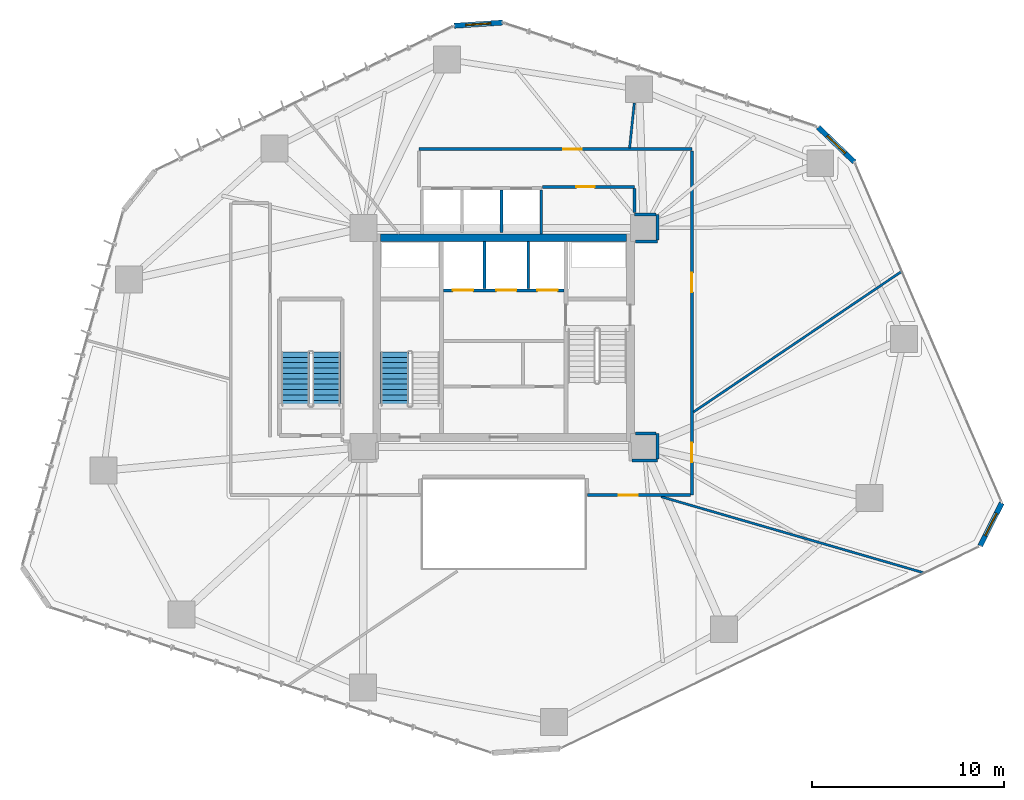
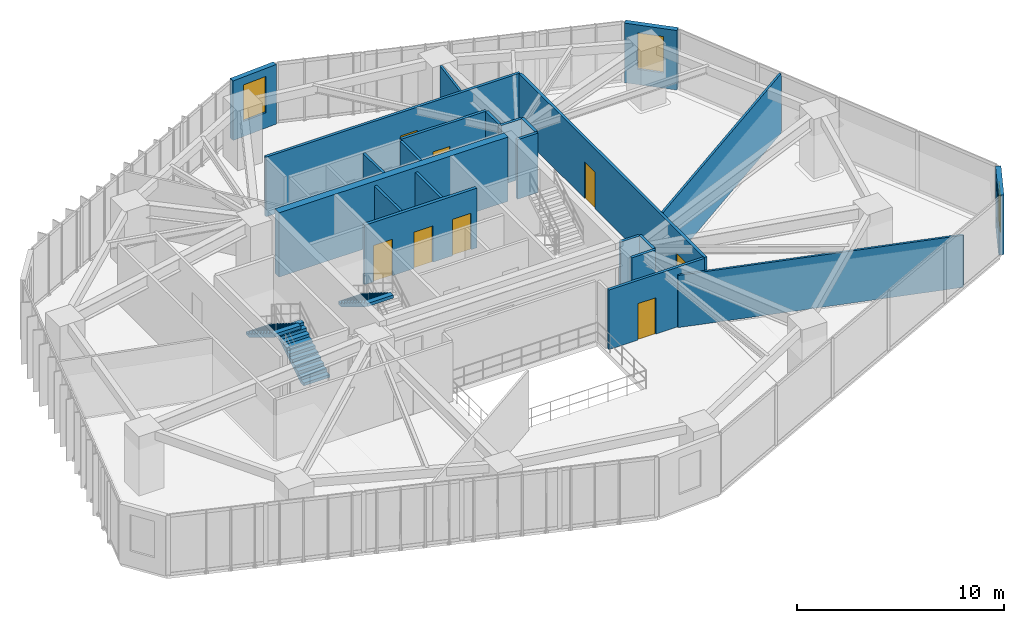
# One storey, part 19 of 23: 23 walls, 8 doors, 3 stair flights, 3 windows, 11 openings, 2 elements without a shape of their own.
"""IFC4 building model written with IfcOpenShell, lengths in metres."""

from ifc_helpers import new_model, si_unit, direction, frame, frame_2d, origin, place, context, subcontext, project, spatial, polyline, rectangle, outline, extrude, source, transform, mapped, material, layer, layer_set, type_object, type_shapes, element, fill, aggregate, save


model = new_model("IFC4")

# Units and contexts
model_context = context("Model", 3, precision=1e-05, world=origin(), true_north=direction((0.0, 1.0)))
body_context = subcontext(model_context, "Body", "Model", "MODEL_VIEW")
ifc_project = project(units=[si_unit("LENGTHUNIT", "METRE"), si_unit("AREAUNIT", "SQUARE_METRE"), si_unit("VOLUMEUNIT", "CUBIC_METRE"), si_unit("PLANEANGLEUNIT", "RADIAN"), si_unit("MASSUNIT", "GRAM", prefix="KILO")], contexts=[model_context])

# Site, building, storey
site_placement = place(None, origin())
site = spatial("IfcSite", under=ifc_project, at=site_placement, CompositionType="ELEMENT")
building_placement = place(site_placement, origin())
building = spatial("IfcBuilding", under=site, at=building_placement, Name="Talar Marvaseh", CompositionType="ELEMENT")
storey_placement = place(building_placement, frame((0.0, 0.0, 35.39990234375)))
storey = spatial("IfcBuildingStorey", under=building, at=storey_placement, Name="L08", CompositionType="ELEMENT", Elevation=35.39990234375)

# Wall, opening, window
ifc_material_1 = material(Name="Precast concrete C45/55", Category="concrete")
ifc_layer_1 = layer(ifc_material_1, 0.27001953125)
ifc_layer_set_1 = layer_set([ifc_layer_1], Name="Precast concrete C45/55")
wall_type_1 = type_object("IfcWallType", Name="Chamfered Hexagonal Corner Pier Wall Z1 270", PredefinedType="SOLIDWALL", material=ifc_layer_set_1)
wall_1_placement = place(storey_placement, frame((23.433349609375, 47.4248046875, 0.0), z_axis=(0.0, 0.0, 1.0), x_axis=(0.99785923334, 0.065398397829, 0.0)))
wall_1 = element("IfcWall", 1, at=wall_1_placement, inside=storey, type_object=wall_type_1, Name="L08 Chamfered Corner Limestone Pier 3", PredefinedType="SOLIDWALL", context=body_context, shape_type="SweptSolid", body=[
    extrude(rectangle(XDim=2.51611328125, YDim=0.27001953125, at=frame_2d((1.258056640625, 0.0))), origin(), (0.0, 0.0, 1.0), 3.52001953125),
])
opening_1_placement = place(wall_1_placement, frame((0.60791015625, 0.0, 0.89990234375)))
opening_1 = element("IfcOpeningElement", 2, at=opening_1_placement, cuts=wall_1, Name="Opening WN-CHM13", PredefinedType="OPENING", context=body_context, shape_type="SweptSolid", body=[
    extrude(rectangle(XDim=1.300048828125, YDim=2.14990234375, at=frame_2d((0.64990234375, 1.074951171875))), frame((0.0, 0.14501953125, 0.0), z_axis=(0.0, -1.0, 0.0), x_axis=(1.0, 0.0, 0.0)), (0.0, 0.0, 1.0), 0.2900390625),
])
ifc_material_2 = material(Name="Laminated Low-E Solar Glass", Category="glass")
window_type = type_object("IfcWindowType", Name="Zone 1 Chamfered Corner Slot Window 1300x2150", PartitioningType="SINGLE_PANEL", PredefinedType="WINDOW", material=ifc_material_2)
shared_shape_1 = source(origin(), body_context, "Body", "SweptSolid", [
    extrude(rectangle(XDim=1.300048828125, YDim=2.14990234375, at=frame_2d((0.64990234375, 1.074951171875))), frame((0.0, 0.030029296875, 0.0), z_axis=(0.0, -1.0, 0.0), x_axis=(1.0, 0.0, 0.0)), (0.0, 0.0, 1.0), 0.06005859375),
])
type_shapes(window_type, [shared_shape_1])
window_1_placement = place(opening_1_placement, origin())
window_1 = element("IfcWindow", 3, at=window_1_placement, inside=storey, type_object=window_type, Name="L08 Chamfered Corner Slot Window", OverallHeight=2.14990234375, OverallWidth=1.300048828125, PartitioningType="SINGLE_PANEL", PredefinedType="WINDOW", context=body_context, shape_type="MappedRepresentation", body=[
    mapped(shared_shape_1, transform((0.0, 0.0, 0.0), x_axis=(1.0, 0.0, 0.0), y_axis=(0.0, 1.0, 0.0), z_axis=(0.0, 0.0, 1.0), scale=1.0)),
])
fill(opening_1, window_1)

wall_2_placement = place(storey_placement, frame((42.363037109375, 42.152099609375, 0.0), z_axis=(0.0, 0.0, 1.0), x_axis=(0.720836641342, -0.693104996735, 0.0)))
wall_2 = element("IfcWall", 4, at=wall_2_placement, inside=storey, type_object=wall_type_1, Name="L08 Chamfered Corner Limestone Pier 4", PredefinedType="SOLIDWALL", context=body_context, shape_type="SweptSolid", body=[
    extrude(rectangle(XDim=2.62353515625, YDim=0.27001953125, at=frame_2d((1.311767578125, 0.0))), origin(), (0.0, 0.0, 1.0), 3.52001953125),
])
opening_2_placement = place(wall_2_placement, frame((0.662109375, 0.0, 0.89990234375)))
opening_2 = element("IfcOpeningElement", 5, at=opening_2_placement, cuts=wall_2, Name="Opening WN-CHM13", PredefinedType="OPENING", context=body_context, shape_type="SweptSolid", body=[
    extrude(rectangle(XDim=1.300048828125, YDim=2.14990234375, at=frame_2d((0.64990234375, 1.074951171875))), frame((0.0, 0.14501953125, 0.0), z_axis=(0.0, -1.0, 0.0), x_axis=(1.0, 0.0, 0.0)), (0.0, 0.0, 1.0), 0.2900390625),
])
window_2_placement = place(opening_2_placement, origin())
window_2 = element("IfcWindow", 6, at=window_2_placement, inside=storey, type_object=window_type, Name="L08 Chamfered Corner Slot Window", OverallHeight=2.14990234375, OverallWidth=1.300048828125, PartitioningType="SINGLE_PANEL", PredefinedType="WINDOW", context=body_context, shape_type="MappedRepresentation", body=[
    mapped(shared_shape_1, transform((0.0, 0.0, 0.0), x_axis=(1.0, 0.0, 0.0), y_axis=(0.0, 1.0, 0.0), z_axis=(0.0, 0.0, 1.0), scale=1.0)),
])
fill(opening_2, window_2)

wall_3_placement = place(storey_placement, frame((51.9189453125, 22.582275390625, 0.0), z_axis=(0.0, 0.0, 1.0), x_axis=(-0.448942485085, -0.893560655516, 0.0)))
wall_3 = element("IfcWall", 7, at=wall_3_placement, inside=storey, type_object=wall_type_1, Name="L08 Chamfered Corner Limestone Pier 5", PredefinedType="SOLIDWALL", context=body_context, shape_type="SweptSolid", body=[
    extrude(rectangle(XDim=2.484130859375, YDim=0.27001953125, at=frame_2d((1.2421875, 0.0))), origin(), (0.0, 0.0, 1.0), 3.52001953125),
])
opening_3_placement = place(wall_3_placement, frame((0.592041015625, 0.0, 0.89990234375)))
opening_3 = element("IfcOpeningElement", 8, at=opening_3_placement, cuts=wall_3, Name="Opening WN-CHM13", PredefinedType="OPENING", context=body_context, shape_type="SweptSolid", body=[
    extrude(rectangle(XDim=1.300048828125, YDim=2.14990234375, at=frame_2d((0.64990234375, 1.074951171875))), frame((0.0, 0.14501953125, 0.0), z_axis=(0.0, -1.0, 0.0), x_axis=(1.0, 0.0, 0.0)), (0.0, 0.0, 1.0), 0.2900390625),
])
window_3_placement = place(opening_3_placement, origin())
window_3 = element("IfcWindow", 9, at=window_3_placement, inside=storey, type_object=window_type, Name="L08 Chamfered Corner Slot Window", OverallHeight=2.14990234375, OverallWidth=1.300048828125, PartitioningType="SINGLE_PANEL", PredefinedType="WINDOW", context=body_context, shape_type="MappedRepresentation", body=[
    mapped(shared_shape_1, transform((0.0, 0.0, 0.0), x_axis=(1.0, 0.0, 0.0), y_axis=(0.0, 1.0, 0.0), z_axis=(0.0, 0.0, 1.0), scale=1.0)),
])
fill(opening_3, window_3)

# Wall, opening, door
ifc_material_3 = material(Name="Gypsum Board Partition Assembly")
ifc_layer_2 = layer(ifc_material_3, 0.155029296875)
ifc_layer_set_2 = layer_set([ifc_layer_2], Name="Gypsum Board Partition Assembly")
wall_type_2 = type_object("IfcWallType", Name="Corridor Fire-Rated Acoustic Partition 155", PredefinedType="PARTITIONING", material=ifc_layer_set_2)
wall_4_placement = place(storey_placement, frame((32.800048828125, 39.0400390625, 0.0), z_axis=(0.0, 0.0, 1.0), x_axis=(-1.0, 0.0, 0.0)))
wall_4 = element("IfcWall", 10, at=wall_4_placement, inside=storey, type_object=wall_type_2, Name="L08 Interior Partition Wall", PredefinedType="PARTITIONING", context=body_context, shape_type="SweptSolid", body=[
    extrude(rectangle(XDim=4.77001953125, YDim=0.155029296875, at=frame_2d((2.385009765625, 0.0))), origin(), (0.0, 0.0, 1.0), 3.52001953125),
])
opening_4_placement = place(wall_4_placement, frame((2.063720703125, 0.0, 0.0)))
opening_4 = element("IfcOpeningElement", 11, at=opening_4_placement, cuts=wall_4, Name="Opening DR-WC095", PredefinedType="OPENING", context=body_context, shape_type="SweptSolid", body=[
    extrude(rectangle(XDim=0.949951171875, YDim=2.14990234375, at=frame_2d((0.47509765625, 1.074951171875))), frame((0.0, 0.08740234375, 0.0), z_axis=(0.0, -1.0, 0.0), x_axis=(1.0, 0.0, 0.0)), (0.0, 0.0, 1.0), 0.175048828125),
])
ifc_material_4 = material(Name="Acoustic Engineered Oak Timber", Category="wood")
door_type_1 = type_object("IfcDoorType", Name="Washroom and Service Room Door 950x2150", OperationType="NOTDEFINED", PredefinedType="DOOR", material=ifc_material_4)
shared_shape_2 = source(origin(), body_context, "Body", "SweptSolid", [
    extrude(rectangle(XDim=0.949951171875, YDim=2.14990234375, at=frame_2d((0.47509765625, 1.074951171875))), frame((0.0, 0.02490234375, 0.0), z_axis=(0.0, -1.0, 0.0), x_axis=(1.0, 0.0, 0.0)), (0.0, 0.0, 1.0), 0.050048828125),
])
type_shapes(door_type_1, [shared_shape_2])
door_1_placement = place(opening_4_placement, origin())
door_1 = element("IfcDoor", 12, at=door_1_placement, inside=storey, type_object=door_type_1, Name="L08 WC Public Washrooms Door", OperationType="SINGLE_SWING_LEFT", OverallHeight=2.14990234375, OverallWidth=0.949951171875, PredefinedType="DOOR", context=body_context, shape_type="MappedRepresentation", body=[
    mapped(shared_shape_2, transform((0.0, 0.0, 0.0), x_axis=(1.0, 0.0, 0.0), y_axis=(0.0, 1.0, 0.0), z_axis=(0.0, 0.0, 1.0), scale=1.0)),
])
fill(opening_4, door_1)

wall_5_placement = place(storey_placement, frame((21.60009765625, 41.0, 0.0), z_axis=(0.0, 0.0, 1.0), x_axis=(1.0, 0.0, 0.0)))
wall_5 = element("IfcWall", 13, at=wall_5_placement, inside=storey, type_object=wall_type_2, Name="L08 Interior Partition Wall", PredefinedType="PARTITIONING", context=body_context, shape_type="SweptSolid", body=[
    extrude(rectangle(XDim=14.199951171875, YDim=0.155029296875, at=frame_2d((7.10009765625, 0.0))), origin(), (0.0, 0.0, 1.0), 3.52001953125),
])
opening_5_placement = place(wall_5_placement, frame((7.512939453125, 0.0, 0.0)))
opening_5 = element("IfcOpeningElement", 14, at=opening_5_placement, cuts=wall_5, Name="Opening DR-WC095", PredefinedType="OPENING", context=body_context, shape_type="SweptSolid", body=[
    extrude(rectangle(XDim=0.949951171875, YDim=2.14990234375, at=frame_2d((0.47509765625, 1.074951171875))), frame((0.0, 0.08740234375, 0.0), z_axis=(0.0, -1.0, 0.0), x_axis=(1.0, 0.0, 0.0)), (0.0, 0.0, 1.0), 0.175048828125),
])
door_2_placement = place(opening_5_placement, origin())
door_2 = element("IfcDoor", 15, at=door_2_placement, inside=storey, type_object=door_type_1, Name="L08 Accessible WC Block Door", OperationType="SINGLE_SWING_RIGHT", OverallHeight=2.14990234375, OverallWidth=0.949951171875, PredefinedType="DOOR", context=body_context, shape_type="MappedRepresentation", body=[
    mapped(shared_shape_2, transform((0.0, 0.0, 0.0), x_axis=(1.0, 0.0, 0.0), y_axis=(0.0, 1.0, 0.0), z_axis=(0.0, 0.0, 1.0), scale=1.0)),
])
fill(opening_5, door_2)

# Wall, openings, doors
wall_6_placement = place(storey_placement, frame((35.800048828125, 40.91650390625, 0.0), z_axis=(0.0, 0.0, 1.0), x_axis=(0.0, -1.0, 0.0)))
wall_6 = element("IfcWall", 16, at=wall_6_placement, inside=storey, type_object=wall_type_2, Name="L08 Interior Partition Wall", PredefinedType="PARTITIONING", context=body_context, shape_type="SweptSolid", body=[
    extrude(rectangle(XDim=17.91650390625, YDim=0.155029296875, at=frame_2d((8.958251953125, 0.0))), origin(), (0.0, 0.0, 1.0), 3.52001953125),
])
opening_6_placement = place(wall_6_placement, frame((15.19580078125, 0.0, 0.0)))
opening_6 = element("IfcOpeningElement", 17, at=opening_6_placement, cuts=wall_6, Name="Opening DR-RM100", PredefinedType="OPENING", context=body_context, shape_type="SweptSolid", body=[
    extrude(rectangle(XDim=1.0, YDim=2.14990234375, at=frame_2d((0.5, 1.074951171875))), frame((0.0, 0.08740234375, 0.0), z_axis=(0.0, -1.0, 0.0), x_axis=(1.0, 0.0, 0.0)), (0.0, 0.0, 1.0), 0.175048828125),
])
opening_7_placement = place(wall_6_placement, frame((6.35009765625, 0.0, 0.0)))
opening_7 = element("IfcOpeningElement", 18, at=opening_7_placement, cuts=wall_6, Name="Opening DR-RM100", PredefinedType="OPENING", context=body_context, shape_type="SweptSolid", body=[
    extrude(rectangle(XDim=1.0, YDim=2.14990234375, at=frame_2d((0.5, 1.074951171875))), frame((0.0, 0.08740234375, 0.0), z_axis=(0.0, -1.0, 0.0), x_axis=(1.0, 0.0, 0.0)), (0.0, 0.0, 1.0), 0.175048828125),
])
door_type_2 = type_object("IfcDoorType", Name="Corridor Fire-Rated Gallery Door 1000x2150", OperationType="NOTDEFINED", PredefinedType="DOOR", material=ifc_material_4)
shared_shape_3 = source(origin(), body_context, "Body", "SweptSolid", [
    extrude(rectangle(XDim=1.0, YDim=2.14990234375, at=frame_2d((0.5, 1.074951171875))), frame((0.0, 0.02490234375, 0.0), z_axis=(0.0, -1.0, 0.0), x_axis=(1.0, 0.0, 0.0)), (0.0, 0.0, 1.0), 0.050048828125),
])
type_shapes(door_type_2, [shared_shape_3])
door_3_placement = place(opening_6_placement, origin())
door_3 = element("IfcDoor", 19, at=door_3_placement, inside=storey, type_object=door_type_2, Name="L08 Main Reading Room Door", OperationType="SINGLE_SWING_LEFT", OverallHeight=2.14990234375, OverallWidth=1.0, PredefinedType="DOOR", context=body_context, shape_type="MappedRepresentation", body=[
    mapped(shared_shape_3, transform((0.0, 0.0, 0.0), x_axis=(1.0, 0.0, 0.0), y_axis=(0.0, 1.0, 0.0), z_axis=(0.0, 0.0, 1.0), scale=1.0)),
])
fill(opening_6, door_3)
door_4_placement = place(opening_7_placement, origin())
door_4 = element("IfcDoor", 20, at=door_4_placement, inside=storey, type_object=door_type_2, Name="L08 Colloquium Boardroom Door", OperationType="SINGLE_SWING_RIGHT", OverallHeight=2.14990234375, OverallWidth=1.0, PredefinedType="DOOR", context=body_context, shape_type="MappedRepresentation", body=[
    mapped(shared_shape_3, transform((0.0, 0.0, 0.0), x_axis=(1.0, 0.0, 0.0), y_axis=(0.0, 1.0, 0.0), z_axis=(0.0, 0.0, 1.0), scale=1.0)),
])
fill(opening_7, door_4)

# Wall, opening, door
wall_7_placement = place(storey_placement, frame((35.716552734375, 23.0, 0.0), z_axis=(0.0, 0.0, 1.0), x_axis=(-1.0, 0.0, 0.0)))
wall_7 = element("IfcWall", 21, at=wall_7_placement, inside=storey, type_object=wall_type_2, Name="L08 Interior Partition Wall", PredefinedType="PARTITIONING", context=body_context, shape_type="SweptSolid", body=[
    extrude(rectangle(XDim=5.3564453125, YDim=0.155029296875, at=frame_2d((2.67822265625, 0.0))), origin(), (0.0, 0.0, 1.0), 3.52001953125),
])
opening_8_placement = place(wall_7_placement, frame((2.735107421875, 0.0, 0.0)))
opening_8 = element("IfcOpeningElement", 22, at=opening_8_placement, cuts=wall_7, Name="Opening DR-RM100", PredefinedType="OPENING", context=body_context, shape_type="SweptSolid", body=[
    extrude(rectangle(XDim=1.0, YDim=2.14990234375, at=frame_2d((0.5, 1.074951171875))), frame((0.0, 0.08740234375, 0.0), z_axis=(0.0, -1.0, 0.0), x_axis=(1.0, 0.0, 0.0)), (0.0, 0.0, 1.0), 0.175048828125),
])
door_5_placement = place(opening_8_placement, origin())
door_5 = element("IfcDoor", 23, at=door_5_placement, inside=storey, type_object=door_type_2, Name="L08 Seminar Room Door", OperationType="SINGLE_SWING_RIGHT", OverallHeight=2.14990234375, OverallWidth=1.0, PredefinedType="DOOR", context=body_context, shape_type="MappedRepresentation", body=[
    mapped(shared_shape_3, transform((0.0, 0.0, 0.0), x_axis=(1.0, 0.0, 0.0), y_axis=(0.0, 1.0, 0.0), z_axis=(0.0, 0.0, 1.0), scale=1.0)),
])
fill(opening_8, door_5)

# Walls
wall_8_placement = place(storey_placement, frame((32.67529296875, 24.788330078125, 0.0), z_axis=(0.0, 0.0, 1.0), x_axis=(0.999961738884, 0.008747614993, 0.0)))
element("IfcWall", 24, at=wall_8_placement, inside=storey, type_object=wall_type_2, Name="L08 Interior Partition Wall", PredefinedType="PARTITIONING", context=body_context, shape_type="SweptSolid", body=[
    extrude(rectangle(XDim=1.339599609375, YDim=0.155029296875, at=frame_2d((0.669921875, 0.0))), origin(), (0.0, 0.0, 1.0), 3.52001953125),
])
wall_9_placement = place(storey_placement, frame((34.014892578125, 24.883544921875, 0.0), z_axis=(0.0, 0.0, 1.0), x_axis=(-0.002393659134, 0.999997135194, 0.0)))
element("IfcWall", 25, at=wall_9_placement, inside=storey, type_object=wall_type_2, Name="L08 Interior Partition Wall", PredefinedType="PARTITIONING", context=body_context, shape_type="SweptSolid", body=[
    extrude(rectangle(XDim=1.325927734375, YDim=0.155029296875, at=frame_2d((0.6630859375, 0.0))), origin(), (0.0, 0.0, 1.0), 3.52001953125),
])
wall_10_placement = place(storey_placement, frame((33.927978515625, 26.2099609375, 0.0), z_axis=(0.0, 0.0, 1.0), x_axis=(-0.999988255797, 0.004846469737, 0.0)))
element("IfcWall", 26, at=wall_10_placement, inside=storey, type_object=wall_type_2, Name="L08 Interior Partition Wall", PredefinedType="PARTITIONING", context=body_context, shape_type="SweptSolid", body=[
    extrude(rectangle(XDim=1.057861328125, YDim=0.155029296875, at=frame_2d((0.52880859375, 0.0))), origin(), (0.0, 0.0, 1.0), 3.52001953125),
])
wall_11_placement = place(storey_placement, frame((32.8701171875, 36.18505859375, 0.0), z_axis=(0.0, 0.0, 1.0), x_axis=(0.999988932255, 0.00470482389, 0.0)))
element("IfcWall", 27, at=wall_11_placement, inside=storey, type_object=wall_type_2, Name="L08 Interior Partition Wall", PredefinedType="PARTITIONING", context=body_context, shape_type="SweptSolid", body=[
    extrude(rectangle(XDim=1.1416015625, YDim=0.155029296875, at=frame_2d((0.57080078125, 0.0))), origin(), (0.0, 0.0, 1.0), 3.52001953125),
])
wall_12_placement = place(storey_placement, frame((34.01171875, 36.27392578125, 0.0), z_axis=(0.0, 0.0, 1.0), x_axis=(0.0, 1.0, 0.0)))
element("IfcWall", 28, at=wall_12_placement, inside=storey, type_object=wall_type_2, Name="L08 Interior Partition Wall", PredefinedType="PARTITIONING", context=body_context, shape_type="SweptSolid", body=[
    extrude(rectangle(XDim=1.335693359375, YDim=0.155029296875, at=frame_2d((0.66796875, 0.0))), origin(), (0.0, 0.0, 1.0), 3.52001953125),
])
wall_13_placement = place(storey_placement, frame((33.927978515625, 37.60986328125, 0.0), z_axis=(0.0, 0.0, 1.0), x_axis=(-0.999989669582, 0.004545407589, 0.0)))
element("IfcWall", 29, at=wall_13_placement, inside=storey, type_object=wall_type_2, Name="L08 Interior Partition Wall", PredefinedType="PARTITIONING", context=body_context, shape_type="SweptSolid", body=[
    extrude(rectangle(XDim=1.1279296875, YDim=0.155029296875, at=frame_2d((0.56396484375, 0.0))), origin(), (0.0, 0.0, 1.0), 3.52001953125),
])
wall_14_placement = place(storey_placement, frame((32.800048828125, 37.698486328125, 0.0), z_axis=(0.0, 0.0, 1.0), x_axis=(0.0, 1.0, 0.0)))
element("IfcWall", 30, at=wall_14_placement, inside=storey, type_object=wall_type_2, Name="L08 Interior Partition Wall", PredefinedType="PARTITIONING", context=body_context, shape_type="SweptSolid", body=[
    extrude(rectangle(XDim=1.258056640625, YDim=0.155029296875, at=frame_2d((0.62890625, 0.0))), origin(), (0.0, 0.0, 1.0), 3.52001953125),
])
ifc_layer_3 = layer(ifc_material_3, 0.1201171875)
ifc_layer_set_3 = layer_set([ifc_layer_3], Name="Gypsum Board Partition Assembly")
wall_type_3 = type_object("IfcWallType", Name="Demountable Studio Room Partition 120", PredefinedType="PARTITIONING", material=ifc_layer_set_3)
wall_15_placement = place(storey_placement, frame((34.197998046875, 22.91650390625, 0.0), z_axis=(0.0, 0.0, 1.0), x_axis=(0.960488293001, -0.278320389134, 0.0)))
element("IfcWall", 31, at=wall_15_placement, inside=storey, type_object=wall_type_3, Name="L08 Interior Partition Wall", PredefinedType="PARTITIONING", context=body_context, shape_type="SweptSolid", body=[
    extrude(rectangle(XDim=14.23681640625, YDim=0.1201171875, at=frame_2d((7.118408203125, 0.0))), origin(), (0.0, 0.0, 1.0), 3.08203125),
])
wall_16_placement = place(storey_placement, frame((35.883544921875, 27.326416015625, 0.0), z_axis=(0.0, 0.0, 1.0), x_axis=(0.828714643998, 0.559671366806, 0.0)))
element("IfcWall", 32, at=wall_16_placement, inside=storey, type_object=wall_type_3, Name="L08 Interior Partition Wall", PredefinedType="PARTITIONING", context=body_context, shape_type="SweptSolid", body=[
    extrude(rectangle(XDim=13.052734375, YDim=0.1201171875, at=frame_2d((6.5263671875, 0.0))), origin(), (0.0, 0.0, 1.0), 3.52001953125),
])
wall_17_placement = place(storey_placement, frame((32.556640625, 41.064697265625, 0.0), z_axis=(0.0, 0.0, 1.0), x_axis=(0.103672519793, 0.99461148628, 0.0)))
element("IfcWall", 33, at=wall_17_placement, inside=storey, type_object=wall_type_3, Name="L08 Interior Partition Wall", PredefinedType="PARTITIONING", context=body_context, shape_type="SweptSolid", body=[
    extrude(rectangle(XDim=2.347900390625, YDim=0.1201171875, at=frame_2d((1.173828125, 0.0))), origin(), (0.0, 0.0, 1.0), 3.52001953125),
])
ifc_layer_4 = layer(ifc_material_1, 0.14501953125)
ifc_layer_set_4 = layer_set([ifc_layer_4], Name="Precast concrete C45/55")
wall_type_4 = type_object("IfcWallType", Name="Fire-Rated Lift Divider Wall 145", PredefinedType="SOLIDWALL", material=ifc_layer_set_4)
for number, where, z_axis, x_axis, name in (
    (34, (25.0, 33.743408203125, 0.0), (0.0, 0.0, 1.0), (0.0, 1.0, 0.0), "L08 FFL-1/FFL-2 Divider"),
    (35, (27.280029296875, 33.743408203125, 0.0), (0.0, 0.0, 1.0), (0.0, 1.0, 0.0), "L08 FFL-2/SVL-1 Divider"),
):
    element("IfcWall", number, at=place(storey_placement, frame(where, z_axis=z_axis, x_axis=x_axis)), inside=storey, type_object=wall_type_4, Name=name, PredefinedType="SOLIDWALL", context=body_context, shape_type="SweptSolid", body=[
        extrude(rectangle(XDim=2.45654296875, YDim=0.14501953125, at=frame_2d((1.228271484375, 0.0))), origin(), (0.0, 0.0, 1.0), 3.52001953125),
    ])
wall_18_placement = place(storey_placement, frame((27.9599609375, 36.60009765625, 0.0), z_axis=(0.0, 0.0, 1.0), x_axis=(0.0, 1.0, 0.0)))
element("IfcWall", 36, at=wall_18_placement, inside=storey, type_object=wall_type_4, Name="L08 Low-Rise Bank East Wall", PredefinedType="SOLIDWALL", context=body_context, shape_type="SweptSolid", body=[
    extrude(rectangle(XDim=2.266357421875, YDim=0.14501953125, at=frame_2d((1.13330078125, 0.0))), origin(), (0.0, 0.0, 1.0), 3.52001953125),
])
wall_19_placement = place(storey_placement, frame((25.889892578125, 36.659912109375, 0.0), z_axis=(0.0, 0.0, 1.0), x_axis=(0.0, 1.0, 0.0)))
element("IfcWall", 37, at=wall_19_placement, inside=storey, type_object=wall_type_4, Name="L08 PL-L2/PL-L3 Divider", PredefinedType="SOLIDWALL", context=body_context, shape_type="SweptSolid", body=[
    extrude(rectangle(XDim=2.20654296875, YDim=0.14501953125, at=frame_2d((1.103271484375, 0.0))), origin(), (0.0, 0.0, 1.0), 3.52001953125),
])

# Wall, openings, doors
ifc_layer_5 = layer(ifc_material_1, 0.175048828125)
ifc_layer_set_5 = layer_set([ifc_layer_5], Name="Precast concrete C45/55")
wall_type_5 = type_object("IfcWallType", Name="Fire-Rated Lift Hoistway Enclosure Wall 175", PredefinedType="SOLIDWALL", material=ifc_layer_set_5)
wall_20_placement = place(storey_placement, frame((22.860107421875, 33.64990234375, 0.0), z_axis=(0.0, 0.0, 1.0), x_axis=(1.0, 0.0, 0.0)))
wall_20 = element("IfcWall", 38, at=wall_20_placement, inside=storey, type_object=wall_type_5, Name="L08 Firefighting and Service Lift Front Wall", PredefinedType="SOLIDWALL", context=body_context, shape_type="SweptSolid", body=[
    extrude(rectangle(XDim=6.27978515625, YDim=0.175048828125, at=frame_2d((3.139892578125, 0.0))), origin(), (0.0, 0.0, 1.0), 3.52001953125),
])
opening_9_placement = place(wall_20_placement, frame((0.5, 0.0, 0.0)))
opening_9 = element("IfcOpeningElement", 39, at=opening_9_placement, cuts=wall_20, Name="Opening LD-FF1", PredefinedType="OPENING", context=body_context, shape_type="SweptSolid", body=[
    extrude(rectangle(XDim=1.050048828125, YDim=2.14990234375, at=frame_2d((0.52490234375, 1.074951171875))), frame((0.0, 0.09765625, 0.0), z_axis=(0.0, -1.0, 0.0), x_axis=(1.0, 0.0, 0.0)), (0.0, 0.0, 1.0), 0.195068359375),
])
opening_10_placement = place(wall_20_placement, frame((2.760009765625, 0.0, 0.0)))
opening_10 = element("IfcOpeningElement", 40, at=opening_10_placement, cuts=wall_20, Name="Opening LD-FF2", PredefinedType="OPENING", context=body_context, shape_type="SweptSolid", body=[
    extrude(rectangle(XDim=1.050048828125, YDim=2.14990234375, at=frame_2d((0.52490234375, 1.074951171875))), frame((0.0, 0.09765625, 0.0), z_axis=(0.0, -1.0, 0.0), x_axis=(1.0, 0.0, 0.0)), (0.0, 0.0, 1.0), 0.195068359375),
])
opening_11_placement = place(wall_20_placement, frame((4.89990234375, 0.0, 0.0)))
opening_11 = element("IfcOpeningElement", 41, at=opening_11_placement, cuts=wall_20, Name="Opening LD-SV1", PredefinedType="OPENING", context=body_context, shape_type="SweptSolid", body=[
    extrude(rectangle(XDim=1.050048828125, YDim=2.14990234375, at=frame_2d((0.52490234375, 1.074951171875))), frame((0.0, 0.09765625, 0.0), z_axis=(0.0, -1.0, 0.0), x_axis=(1.0, 0.0, 0.0)), (0.0, 0.0, 1.0), 0.195068359375),
])
ifc_material_5 = material(Name="Stainless Steel Grade 316", Category="steel")
door_type_3 = type_object("IfcDoorType", Name="Automatic Sliding Lift Landing Door 1050x2150", OperationType="NOTDEFINED", PredefinedType="DOOR", material=ifc_material_5)
shared_shape_4 = source(origin(), body_context, "Body", "SweptSolid", [
    extrude(rectangle(XDim=1.050048828125, YDim=2.14990234375, at=frame_2d((0.52490234375, 1.074951171875))), frame((0.0, 0.02490234375, 0.0), z_axis=(0.0, -1.0, 0.0), x_axis=(1.0, 0.0, 0.0)), (0.0, 0.0, 1.0), 0.050048828125),
])
type_shapes(door_type_3, [shared_shape_4])
door_6_placement = place(opening_9_placement, origin())
door_6 = element("IfcDoor", 42, at=door_6_placement, inside=storey, type_object=door_type_3, Name="L08 Lift FFL-1 Sliding Landing Door", OperationType="SLIDING_TO_LEFT", OverallHeight=2.14990234375, OverallWidth=1.050048828125, PredefinedType="DOOR", context=body_context, shape_type="MappedRepresentation", body=[
    mapped(shared_shape_4, transform((0.0, 0.0, 0.0), x_axis=(1.0, 0.0, 0.0), y_axis=(0.0, 1.0, 0.0), z_axis=(0.0, 0.0, 1.0), scale=1.0)),
])
fill(opening_9, door_6)
door_7_placement = place(opening_10_placement, origin())
door_7 = element("IfcDoor", 43, at=door_7_placement, inside=storey, type_object=door_type_3, Name="L08 Lift FFL-2 Sliding Landing Door", OperationType="SLIDING_TO_LEFT", OverallHeight=2.14990234375, OverallWidth=1.050048828125, PredefinedType="DOOR", context=body_context, shape_type="MappedRepresentation", body=[
    mapped(shared_shape_4, transform((0.0, 0.0, 0.0), x_axis=(1.0, 0.0, 0.0), y_axis=(0.0, 1.0, 0.0), z_axis=(0.0, 0.0, 1.0), scale=1.0)),
])
fill(opening_10, door_7)
door_8_placement = place(opening_11_placement, origin())
door_8 = element("IfcDoor", 44, at=door_8_placement, inside=storey, type_object=door_type_3, Name="L08 Lift SVL-1 Sliding Landing Door", OperationType="SLIDING_TO_LEFT", OverallHeight=2.14990234375, OverallWidth=1.050048828125, PredefinedType="DOOR", context=body_context, shape_type="MappedRepresentation", body=[
    mapped(shared_shape_4, transform((0.0, 0.0, 0.0), x_axis=(1.0, 0.0, 0.0), y_axis=(0.0, 1.0, 0.0), z_axis=(0.0, 0.0, 1.0), scale=1.0)),
])
fill(opening_11, door_8)

# Wall
ifc_material_6 = material(Name="Concrete C70/85", Category="concrete")
ifc_layer_6 = layer(ifc_material_6, 0.39990234375)
ifc_layer_set_6 = layer_set([ifc_layer_6], Name="Concrete C70/85")
wall_type_6 = type_object("IfcWallType", Name="Lower Core Reinforced Concrete Shear Wall 400", PredefinedType="SHEAR", material=ifc_layer_set_6)
wall_21_placement = place(storey_placement, frame((19.60009765625, 36.39990234375, 0.0), z_axis=(0.0, 0.0, 1.0), x_axis=(1.0, 0.0, 0.0)))
element("IfcWall", 45, at=wall_21_placement, inside=storey, type_object=wall_type_6, Name="L08 North Core Shear Wall", PredefinedType="SHEAR", context=body_context, shape_type="SweptSolid", body=[
    extrude(rectangle(XDim=12.7998046875, YDim=0.39990234375, at=frame_2d((6.39990234375, 0.0))), origin(), (0.0, 0.0, 1.0), 3.800048828125),
])

# Stair, stair flight
ifc_material_7 = material(Name="Concrete C40/50", Category="concrete")
stair_type = type_object("IfcStairType", Name="Reinforced Concrete Half-Turn Exit Stair Type B", PredefinedType="HALF_TURN_STAIR", material=ifc_material_7)
stair_1_placement = place(storey_placement, origin())
stair_1 = element("IfcStair", 46, at=stair_1_placement, inside=storey, type_object=stair_type, Name="L08 Tower West Core Exit Stair", PredefinedType="HALF_TURN_STAIR")
ifc_layer_7 = layer(ifc_material_7, 0.159912109375)
ifc_layer_set_7 = layer_set([ifc_layer_7], Name="Concrete C40/50")
stair_flight_type = type_object("IfcStairFlightType", Name="Reinforced Concrete Straight Stair Flight 160", PredefinedType="STRAIGHT", material=ifc_layer_set_7)
stair_flight_1_placement = place(storey_placement, frame((20.324951171875, 30.449951171875, 1.900146484375), z_axis=(0.0, 0.0, 1.0), x_axis=(0.0, -1.0, 0.0)))
stair_flight_1 = element("IfcStairFlight", 47, at=stair_flight_1_placement, type_object=stair_flight_type, Name="ST-1 flight 2", NumberOfRisers=11, NumberOfTreads=10, PredefinedType="STRAIGHT", RiserHeight=0.172727273, TreadLength=0.28, context=body_context, shape_type="SweptSolid", body=[
    extrude(outline(polyline([(0.0, 0.0), (0.0, 0.172607421875), (0.280029296875, 0.172607421875), (0.280029296875, 0.345458984375), (0.56005859375, 0.345458984375), (0.56005859375, 0.51806640625), (0.840087890625, 0.51806640625), (0.840087890625, 0.69091796875), (1.1201171875, 0.69091796875), (1.1201171875, 0.863525390625), (1.39990234375, 0.863525390625), (1.39990234375, 1.036376953125), (1.679931640625, 1.036376953125), (1.679931640625, 1.208984375), (1.9599609375, 1.208984375), (1.9599609375, 1.3818359375), (2.239990234375, 1.3818359375), (2.239990234375, 1.554443359375), (2.52001953125, 1.554443359375), (2.52001953125, 1.727294921875), (2.800048828125, 1.727294921875), (2.800048828125, 1.89990234375), (2.800048828125, 1.539306640625), (0.3046875, 0.0), (0.0, 0.0)])), frame((0.0, 0.72509765625, 0.0), z_axis=(0.0, -1.0, 0.0), x_axis=(1.0, 0.0, 0.0)), (0.0, 0.0, 1.0), 1.449951171875),
])
aggregate(stair_1, [stair_flight_1])

# Stair, stair flights
stair_2_placement = place(storey_placement, origin())
stair_2 = element("IfcStair", 48, at=stair_2_placement, inside=storey, type_object=stair_type, Name="L08 Museum & Podium Auxiliary Exit Stair", PredefinedType="HALF_TURN_STAIR")
stair_flight_2_placement = place(storey_placement, frame((16.77490234375, 27.64990234375, 0.0), z_axis=(0.0, 0.0, 1.0), x_axis=(0.0, 1.0, 0.0)))
stair_flight_2 = element("IfcStairFlight", 49, at=stair_flight_2_placement, type_object=stair_flight_type, Name="ST-3 flight 1", NumberOfRisers=11, NumberOfTreads=10, PredefinedType="STRAIGHT", RiserHeight=0.172727273, TreadLength=0.28, context=body_context, shape_type="SweptSolid", body=[
    extrude(outline(polyline([(0.0, 0.0), (0.0, 0.172607421875), (0.280029296875, 0.172607421875), (0.280029296875, 0.345458984375), (0.56005859375, 0.345458984375), (0.56005859375, 0.51806640625), (0.840087890625, 0.51806640625), (0.840087890625, 0.69091796875), (1.1201171875, 0.69091796875), (1.1201171875, 0.863525390625), (1.39990234375, 0.863525390625), (1.39990234375, 1.036376953125), (1.679931640625, 1.036376953125), (1.679931640625, 1.208984375), (1.9599609375, 1.208984375), (1.9599609375, 1.3818359375), (2.239990234375, 1.3818359375), (2.239990234375, 1.554443359375), (2.52001953125, 1.554443359375), (2.52001953125, 1.727294921875), (2.800048828125, 1.727294921875), (2.800048828125, 1.89990234375), (2.800048828125, 1.539306640625), (0.3046875, 0.0), (0.0, 0.0)])), frame((0.0, 0.72509765625, 0.0), z_axis=(0.0, -1.0, 0.0), x_axis=(1.0, 0.0, 0.0)), (0.0, 0.0, 1.0), 1.449951171875),
])
stair_flight_3_placement = place(storey_placement, frame((15.1650390625, 30.449951171875, 1.900146484375), z_axis=(0.0, 0.0, 1.0), x_axis=(0.0, -1.0, 0.0)))
stair_flight_3 = element("IfcStairFlight", 50, at=stair_flight_3_placement, type_object=stair_flight_type, Name="ST-3 flight 2", NumberOfRisers=11, NumberOfTreads=10, PredefinedType="STRAIGHT", RiserHeight=0.172727273, TreadLength=0.28, context=body_context, shape_type="SweptSolid", body=[
    extrude(outline(polyline([(0.0, 0.0), (0.0, 0.172607421875), (0.280029296875, 0.172607421875), (0.280029296875, 0.345458984375), (0.56005859375, 0.345458984375), (0.56005859375, 0.51806640625), (0.840087890625, 0.51806640625), (0.840087890625, 0.69091796875), (1.1201171875, 0.69091796875), (1.1201171875, 0.863525390625), (1.39990234375, 0.863525390625), (1.39990234375, 1.036376953125), (1.679931640625, 1.036376953125), (1.679931640625, 1.208984375), (1.9599609375, 1.208984375), (1.9599609375, 1.3818359375), (2.239990234375, 1.3818359375), (2.239990234375, 1.554443359375), (2.52001953125, 1.554443359375), (2.52001953125, 1.727294921875), (2.800048828125, 1.727294921875), (2.800048828125, 1.89990234375), (2.800048828125, 1.539306640625), (0.3046875, 0.0), (0.0, 0.0)])), frame((0.0, 0.72509765625, 0.0), z_axis=(0.0, -1.0, 0.0), x_axis=(1.0, 0.0, 0.0)), (0.0, 0.0, 1.0), 1.449951171875),
])
aggregate(stair_2, [stair_flight_2, stair_flight_3])

save(model, "model.ifc")
